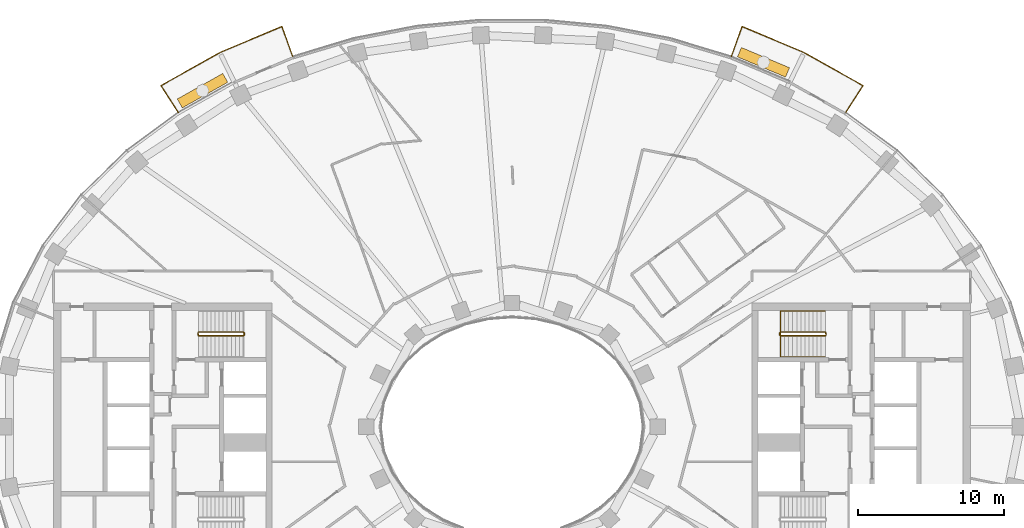
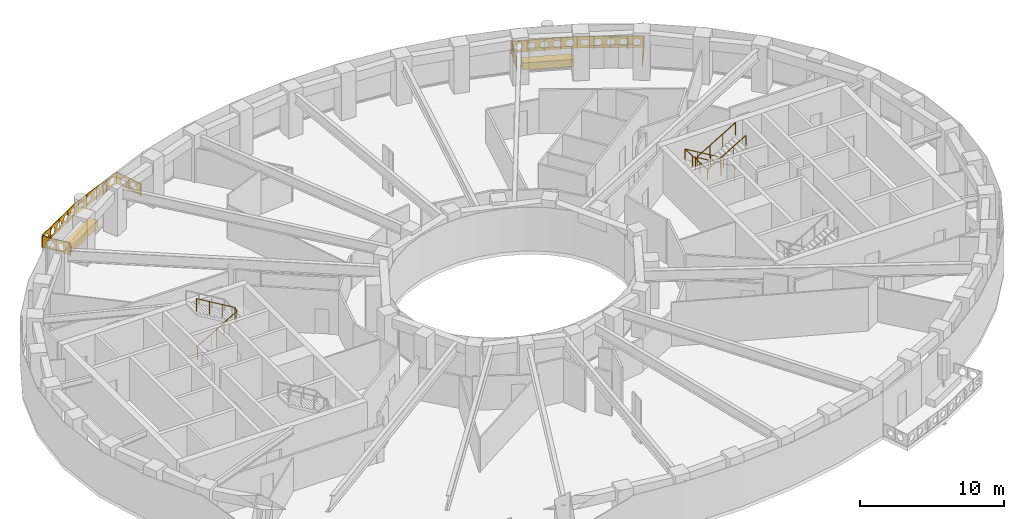
# One storey, part 14 of 15: 5 railings, 2 coverings.
"""IFC4 building model written with IfcOpenShell, lengths in metres."""

from ifc_helpers import new_model, si_unit, direction, frame, origin, origin_2d, place, context, subcontext, project, spatial, polyline, rectangle, outline, extrude, material, type_object, element, save


model = new_model("IFC4")

# Units and contexts
model_context = context("Model", 3, precision=1e-05, world=origin(), true_north=direction((0.0, 1.0)))
body_context = subcontext(model_context, "Body", "Model", "MODEL_VIEW")
ifc_project = project(units=[si_unit("LENGTHUNIT", "METRE"), si_unit("AREAUNIT", "SQUARE_METRE"), si_unit("VOLUMEUNIT", "CUBIC_METRE"), si_unit("PLANEANGLEUNIT", "RADIAN"), si_unit("MASSUNIT", "GRAM", prefix="KILO")], contexts=[model_context])

# Site, building, storey
site_placement = place(None, origin())
site = spatial("IfcSite", under=ifc_project, at=site_placement, CompositionType="ELEMENT")
building_placement = place(site_placement, origin())
building = spatial("IfcBuilding", under=site, at=building_placement, Name="Noorbagh Ring Tower", CompositionType="ELEMENT")
storey_placement = place(building_placement, frame((0.0, 0.0, 194.0)))
storey = spatial("IfcBuildingStorey", under=building, at=storey_placement, Name="L45", CompositionType="ELEMENT", Elevation=194.0)

# Railings
ifc_material_1 = material(Name="Stainless steel", Category="steel")
railing_type_1 = type_object("IfcRailingType", Name="CORE-STAIR-GUARD", PredefinedType="GUARDRAIL", material=ifc_material_1)
railing_1_placement = place(storey_placement, frame((-21.580078125, 6.300048828125, 0.0)))
element("IfcRailing", 1, at=railing_1_placement, inside=storey, type_object=railing_type_1, Name="L45 ST1 stair guard", PredefinedType="GUARDRAIL", context=body_context, shape_type="SweptSolid", body=[
    extrude(rectangle(XDim=0.048095703125, YDim=0.048095703125, at=origin_2d()), frame((0.0, 0.0, 1.076171875), z_axis=(0.0, 1.0, 0.0), x_axis=(-1.0, 0.0, 0.0)), (0.0, 0.0, 1.0), 0.14990234375),
    extrude(rectangle(XDim=0.048095703125, YDim=0.048095703125, at=origin_2d()), frame((0.0, 0.14990234375, 1.076171875), z_axis=(0.188775798145, -0.754182335027, 0.628945707965), x_axis=(0.970072785993, 0.242814311512, 0.0)), (0.0, 0.0, 1.0), 0.26513671875),
    extrude(rectangle(XDim=0.048095703125, YDim=0.048095703125, at=origin_2d()), frame((0.050048828125, -0.050048828125, 1.24267578125), z_axis=(0.859308565015, 0.0, 0.511457515432), x_axis=(0.0, 1.0, 0.0)), (0.0, 0.0, 1.0), 3.58447265625),
    extrude(rectangle(XDim=0.048095703125, YDim=0.048095703125, at=origin_2d()), frame((3.130126953125, -0.050048828125, 3.076171875), z_axis=(0.707106781187, 0.707106781187, 0.0), x_axis=(-0.707106781187, 0.707106781187, 0.0)), (0.0, 0.0, 1.0), 0.07080078125),
    extrude(rectangle(XDim=0.048095703125, YDim=0.048095703125, at=origin_2d()), frame((3.18017578125, 0.0, 3.076171875), z_axis=(0.0, 1.0, 0.0), x_axis=(-1.0, 0.0, 0.0)), (0.0, 0.0, 1.0), 0.14990234375),
    extrude(rectangle(XDim=0.048095703125, YDim=0.048095703125, at=origin_2d()), frame((3.18017578125, 0.14990234375, 3.076171875), z_axis=(-0.27628659633, 0.27628659633, 0.920506074601), x_axis=(-0.707106781187, -0.707106781187, 0.0)), (0.0, 0.0, 1.0), 0.18115234375),
    extrude(rectangle(XDim=0.048095703125, YDim=0.048095703125, at=origin_2d()), frame((3.130126953125, 0.199951171875, 3.24267578125), z_axis=(-0.859308565015, 0.0, 0.511457515432), x_axis=(0.0, -1.0, 0.0)), (0.0, 0.0, 1.0), 3.58447265625),
    extrude(rectangle(XDim=0.0419921875, YDim=0.0419921875, at=origin_2d()), origin(), (0.0, 0.0, 1.0), 1.052001953125),
    extrude(rectangle(XDim=0.0419921875, YDim=0.0419921875, at=origin_2d()), frame((1.07666015625, -0.050048828125, 0.77783203125)), (0.0, 0.0, 1.0), 1.052001953125),
    extrude(rectangle(XDim=0.0419921875, YDim=0.0419921875, at=origin_2d()), frame((2.103515625, -0.050048828125, 1.388916015625)), (0.0, 0.0, 1.0), 1.052001953125),
    extrude(rectangle(XDim=0.0419921875, YDim=0.0419921875, at=origin_2d()), frame((3.130126953125, -0.050048828125, 2.0)), (0.0, 0.0, 1.0), 1.052001953125),
    extrude(rectangle(XDim=0.0419921875, YDim=0.0419921875, at=origin_2d()), frame((3.130126953125, 0.199951171875, 2.166748046875)), (0.0, 0.0, 1.0), 1.052001953125),
    extrude(rectangle(XDim=0.0419921875, YDim=0.0419921875, at=origin_2d()), frame((2.103515625, 0.199951171875, 2.77783203125)), (0.0, 0.0, 1.0), 1.052001953125),
    extrude(rectangle(XDim=0.0419921875, YDim=0.0419921875, at=origin_2d()), frame((1.07666015625, 0.199951171875, 3.388916015625)), (0.0, 0.0, 1.0), 1.052001953125),
    extrude(rectangle(XDim=0.0419921875, YDim=0.0419921875, at=origin_2d()), frame((0.050048828125, 0.199951171875, 4.0)), (0.0, 0.0, 1.0), 1.052001953125),
])
railing_2_placement = place(storey_placement, frame((21.580078125, 6.449951171875, 0.0)))
element("IfcRailing", 2, at=railing_2_placement, inside=storey, type_object=railing_type_1, Name="L45 ST3 stair guard", PredefinedType="GUARDRAIL", context=body_context, shape_type="SweptSolid", body=[
    extrude(rectangle(XDim=0.048095703125, YDim=0.048095703125, at=origin_2d()), frame((0.0, 0.0, 1.076171875), z_axis=(0.0, -1.0, 0.0), x_axis=(1.0, 0.0, 0.0)), (0.0, 0.0, 1.0), 0.14990234375),
    extrude(rectangle(XDim=0.048095703125, YDim=0.048095703125, at=origin_2d()), frame((0.0, -0.14990234375, 1.076171875), z_axis=(-0.188775798145, 0.754182335027, 0.628945707965), x_axis=(-0.970072785993, -0.242814311512, 0.0)), (0.0, 0.0, 1.0), 0.26513671875),
    extrude(rectangle(XDim=0.048095703125, YDim=0.048095703125, at=origin_2d()), frame((-0.050048828125, 0.050048828125, 1.24267578125), z_axis=(-0.859308565015, 0.0, 0.511457515432), x_axis=(0.0, -1.0, 0.0)), (0.0, 0.0, 1.0), 3.58447265625),
    extrude(rectangle(XDim=0.048095703125, YDim=0.048095703125, at=origin_2d()), frame((-3.130126953125, 0.050048828125, 3.076171875), z_axis=(-0.707106781187, -0.707106781187, 0.0), x_axis=(0.707106781187, -0.707106781187, 0.0)), (0.0, 0.0, 1.0), 0.07080078125),
    extrude(rectangle(XDim=0.048095703125, YDim=0.048095703125, at=origin_2d()), frame((-3.18017578125, 0.0, 3.076171875), z_axis=(0.0, -1.0, 0.0), x_axis=(1.0, 0.0, 0.0)), (0.0, 0.0, 1.0), 0.14990234375),
    extrude(rectangle(XDim=0.048095703125, YDim=0.048095703125, at=origin_2d()), frame((-3.18017578125, -0.14990234375, 3.076171875), z_axis=(0.27628659633, -0.27628659633, 0.920506074601), x_axis=(0.707106781187, 0.707106781187, 0.0)), (0.0, 0.0, 1.0), 0.18115234375),
    extrude(rectangle(XDim=0.048095703125, YDim=0.048095703125, at=origin_2d()), frame((-3.130126953125, -0.199951171875, 3.24267578125), z_axis=(0.859308565015, 0.0, 0.511457515432), x_axis=(0.0, 1.0, 0.0)), (0.0, 0.0, 1.0), 3.58447265625),
    extrude(rectangle(XDim=0.0419921875, YDim=0.0419921875, at=origin_2d()), origin(), (0.0, 0.0, 1.0), 1.052001953125),
    extrude(rectangle(XDim=0.0419921875, YDim=0.0419921875, at=origin_2d()), frame((-1.07666015625, 0.050048828125, 0.77783203125)), (0.0, 0.0, 1.0), 1.052001953125),
    extrude(rectangle(XDim=0.0419921875, YDim=0.0419921875, at=origin_2d()), frame((-2.103515625, 0.050048828125, 1.388916015625)), (0.0, 0.0, 1.0), 1.052001953125),
    extrude(rectangle(XDim=0.0419921875, YDim=0.0419921875, at=origin_2d()), frame((-3.130126953125, 0.050048828125, 2.0)), (0.0, 0.0, 1.0), 1.052001953125),
    extrude(rectangle(XDim=0.0419921875, YDim=0.0419921875, at=origin_2d()), frame((-3.130126953125, -0.199951171875, 2.166748046875)), (0.0, 0.0, 1.0), 1.052001953125),
    extrude(rectangle(XDim=0.0419921875, YDim=0.0419921875, at=origin_2d()), frame((-2.103515625, -0.199951171875, 2.77783203125)), (0.0, 0.0, 1.0), 1.052001953125),
    extrude(rectangle(XDim=0.0419921875, YDim=0.0419921875, at=origin_2d()), frame((-1.07666015625, -0.199951171875, 3.388916015625)), (0.0, 0.0, 1.0), 1.052001953125),
    extrude(rectangle(XDim=0.0419921875, YDim=0.0419921875, at=origin_2d()), frame((-0.050048828125, -0.199951171875, 4.0)), (0.0, 0.0, 1.0), 1.052001953125),
])
ifc_material_2 = material(Name="Stainless steel", Category="steel")
railing_type_2 = type_object("IfcRailingType", Name="CORE-STAIR-HANDRAIL", PredefinedType="HANDRAIL", material=ifc_material_2)
railing_3_placement = place(storey_placement, frame((21.530029296875, 7.949951171875, 0.166748046875)))
element("IfcRailing", 3, at=railing_3_placement, inside=storey, type_object=railing_type_2, Name="L45 ST3 stair handrail", PredefinedType="HANDRAIL", context=body_context, shape_type="SweptSolid", body=[
    extrude(rectangle(XDim=0.048095703125, YDim=0.048095703125, at=origin_2d()), frame((0.0, 0.0, 0.8759765625), z_axis=(-0.859308565015, 0.0, 0.511457515432), x_axis=(0.0, -1.0, 0.0)), (0.0, 0.0, 1.0), 3.58447265625),
    extrude(rectangle(XDim=0.048095703125, YDim=0.048095703125, at=origin_2d()), frame((-3.080078125, 0.0, 2.708984375), z_axis=(0.0, -0.998601747152, 0.052863509014), x_axis=(1.0, 0.0, 0.0)), (0.0, 0.0, 1.0), 3.154296875),
    extrude(rectangle(XDim=0.048095703125, YDim=0.048095703125, at=origin_2d()), frame((-3.080078125, -3.14990234375, 2.8759765625), z_axis=(0.859308565015, 0.0, 0.511457515432), x_axis=(0.0, 1.0, 0.0)), (0.0, 0.0, 1.0), 3.58447265625),
    extrude(rectangle(XDim=0.0419921875, YDim=0.0419921875, at=origin_2d()), origin(), (0.0, 0.0, 1.0), 0.851806640625),
    extrude(rectangle(XDim=0.0419921875, YDim=0.0419921875, at=origin_2d()), frame((-1.026611328125, 0.0, 0.611083984375)), (0.0, 0.0, 1.0), 0.851806640625),
    extrude(rectangle(XDim=0.0419921875, YDim=0.0419921875, at=origin_2d()), frame((-2.053466796875, 0.0, 1.22216796875)), (0.0, 0.0, 1.0), 0.851806640625),
    extrude(rectangle(XDim=0.0419921875, YDim=0.0419921875, at=origin_2d()), frame((-3.080078125, 0.0, 1.833251953125)), (0.0, 0.0, 1.0), 0.851806640625),
    extrude(rectangle(XDim=0.0419921875, YDim=0.0419921875, at=origin_2d()), frame((-3.080078125, -1.050048828125, 1.888916015625)), (0.0, 0.0, 1.0), 0.851806640625),
    extrude(rectangle(XDim=0.0419921875, YDim=0.0419921875, at=origin_2d()), frame((-3.080078125, -2.099853515625, 1.9443359375)), (0.0, 0.0, 1.0), 0.851806640625),
    extrude(rectangle(XDim=0.0419921875, YDim=0.0419921875, at=origin_2d()), frame((-3.080078125, -3.14990234375, 2.0)), (0.0, 0.0, 1.0), 0.851806640625),
    extrude(rectangle(XDim=0.0419921875, YDim=0.0419921875, at=origin_2d()), frame((-2.053466796875, -3.14990234375, 2.611083984375)), (0.0, 0.0, 1.0), 0.851806640625),
    extrude(rectangle(XDim=0.0419921875, YDim=0.0419921875, at=origin_2d()), frame((-1.026611328125, -3.14990234375, 3.22216796875)), (0.0, 0.0, 1.0), 0.851806640625),
    extrude(rectangle(XDim=0.0419921875, YDim=0.0419921875, at=origin_2d()), frame((0.0, -3.14990234375, 3.833251953125)), (0.0, 0.0, 1.0), 0.851806640625),
])
ifc_material_3 = material(Name="Steel S275 black powder-coated", Category="steel")
railing_type_3 = type_object("IfcRailingType", Name="ENV-GUARD", PredefinedType="GUARDRAIL", material=ifc_material_3)
railing_4_placement = place(storey_placement, frame((22.9326171875, 21.583740234375, 0.0)))
element("IfcRailing", 4, at=railing_4_placement, inside=storey, type_object=railing_type_3, Name="Balcony guard BN02", PredefinedType="GUARDRAIL", context=body_context, shape_type="SweptSolid", body=[
    extrude(rectangle(XDim=0.048095703125, YDim=0.048095703125, at=origin_2d()), frame((0.0, 0.0, 1.076171875), z_axis=(0.542268136821, 0.840205491406, 0.0), x_axis=(-0.840205491406, 0.542268136821, 0.0)), (0.0, 0.0, 1.0), 2.204345703125),
    extrude(rectangle(XDim=0.048095703125, YDim=0.048095703125, at=origin_2d()), frame((1.1953125, 1.85205078125, 1.076171875), z_axis=(-0.872052247658, 0.489412788303, 0.0), x_axis=(-0.489412788303, -0.872052247658, 0.0)), (0.0, 0.0, 1.0), 4.646240234375),
    extrude(rectangle(XDim=0.048095703125, YDim=0.048095703125, at=origin_2d()), frame((-2.8564453125, 4.1259765625, 1.076171875), z_axis=(-0.921809087722, 0.387644174203, 0.0), x_axis=(-0.387644174203, -0.921809087722, 0.0)), (0.0, 0.0, 1.0), 4.627197265625),
    extrude(rectangle(XDim=0.048095703125, YDim=0.048095703125, at=origin_2d()), frame((-7.121826171875, 5.919677734375, 1.076171875), z_axis=(-0.338350546839, -0.941020141896, 0.0), x_axis=(0.941020141896, -0.338350546839, 0.0)), (0.0, 0.0, 1.0), 2.202880859375),
    extrude(rectangle(XDim=0.0419921875, YDim=0.0419921875, at=origin_2d()), origin(), (0.0, 0.0, 1.0), 1.052001953125),
    extrude(rectangle(XDim=0.0419921875, YDim=0.0419921875, at=origin_2d()), frame((0.59765625, 0.926025390625, 0.0)), (0.0, 0.0, 1.0), 1.052001953125),
    extrude(rectangle(XDim=0.0419921875, YDim=0.0419921875, at=origin_2d()), frame((1.1953125, 1.85205078125, 0.0)), (0.0, 0.0, 1.0), 1.052001953125),
    extrude(rectangle(XDim=0.0419921875, YDim=0.0419921875, at=origin_2d()), frame((0.182373046875, 2.42041015625, 0.0)), (0.0, 0.0, 1.0), 1.052001953125),
    extrude(rectangle(XDim=0.0419921875, YDim=0.0419921875, at=origin_2d()), frame((-0.83056640625, 2.989013671875, 0.0)), (0.0, 0.0, 1.0), 1.052001953125),
    extrude(rectangle(XDim=0.0419921875, YDim=0.0419921875, at=origin_2d()), frame((-1.843505859375, 3.5576171875, 0.0)), (0.0, 0.0, 1.0), 1.052001953125),
    extrude(rectangle(XDim=0.0419921875, YDim=0.0419921875, at=origin_2d()), frame((-2.8564453125, 4.1259765625, 0.0)), (0.0, 0.0, 1.0), 1.052001953125),
    extrude(rectangle(XDim=0.0419921875, YDim=0.0419921875, at=origin_2d()), frame((-3.9228515625, 4.574462890625, 0.0)), (0.0, 0.0, 1.0), 1.052001953125),
    extrude(rectangle(XDim=0.0419921875, YDim=0.0419921875, at=origin_2d()), frame((-4.9892578125, 5.02294921875, 0.0)), (0.0, 0.0, 1.0), 1.052001953125),
    extrude(rectangle(XDim=0.0419921875, YDim=0.0419921875, at=origin_2d()), frame((-6.055419921875, 5.47119140625, 0.0)), (0.0, 0.0, 1.0), 1.052001953125),
    extrude(rectangle(XDim=0.0419921875, YDim=0.0419921875, at=origin_2d()), frame((-7.121826171875, 5.919677734375, 0.0)), (0.0, 0.0, 1.0), 1.052001953125),
    extrude(rectangle(XDim=0.0419921875, YDim=0.0419921875, at=origin_2d()), frame((-7.49462890625, 4.88330078125, 0.0)), (0.0, 0.0, 1.0), 1.052001953125),
    extrude(rectangle(XDim=0.0419921875, YDim=0.0419921875, at=origin_2d()), frame((-7.8671875, 3.8466796875, 0.0)), (0.0, 0.0, 1.0), 1.052001953125),
    extrude(outline(polyline([(0.0, 0.10009765625), (2.204345703125, 0.10009765625), (2.204345703125, 1.031982421875), (0.0, 1.031982421875), (0.0, 0.10009765625)]), holes=[polyline([(0.962158203125, 0.56591796875), (0.80712890625, 0.83447265625), (0.4970703125, 0.83447265625), (0.342041015625, 0.56591796875), (0.4970703125, 0.297607421875), (0.80712890625, 0.297607421875), (0.962158203125, 0.56591796875)]), polyline([(1.862060546875, 0.56591796875), (1.70703125, 0.83447265625), (1.397216796875, 0.83447265625), (1.2421875, 0.56591796875), (1.397216796875, 0.297607421875), (1.70703125, 0.297607421875), (1.862060546875, 0.56591796875)])]), frame((-0.00830078125, 0.00537109375, 0.0), z_axis=(0.840205491406, -0.542268136821, 0.0), x_axis=(0.542268136821, 0.840205491406, 0.0)), (0.0, 0.0, 1.0), 0.02001953125),
    extrude(outline(polyline([(0.0, 0.10009765625), (4.646240234375, 0.10009765625), (4.646240234375, 1.031982421875), (0.0, 1.031982421875), (0.0, 0.10009765625)]), holes=[polyline([(0.8330078125, 0.56591796875), (0.67822265625, 0.83447265625), (0.3681640625, 0.83447265625), (0.213134765625, 0.56591796875), (0.3681640625, 0.297607421875), (0.67822265625, 0.297607421875), (0.8330078125, 0.56591796875)]), polyline([(1.733154296875, 0.56591796875), (1.578125, 0.83447265625), (1.26806640625, 0.83447265625), (1.113037109375, 0.56591796875), (1.26806640625, 0.297607421875), (1.578125, 0.297607421875), (1.733154296875, 0.56591796875)]), polyline([(2.633056640625, 0.56591796875), (2.47802734375, 0.83447265625), (2.168212890625, 0.83447265625), (2.01318359375, 0.56591796875), (2.168212890625, 0.297607421875), (2.47802734375, 0.297607421875), (2.633056640625, 0.56591796875)]), polyline([(3.533203125, 0.56591796875), (3.378173828125, 0.83447265625), (3.068115234375, 0.83447265625), (2.9130859375, 0.56591796875), (3.068115234375, 0.297607421875), (3.378173828125, 0.297607421875), (3.533203125, 0.56591796875)]), polyline([(4.43310546875, 0.56591796875), (4.278076171875, 0.83447265625), (3.968017578125, 0.83447265625), (3.813232421875, 0.56591796875), (3.968017578125, 0.297607421875), (4.278076171875, 0.297607421875), (4.43310546875, 0.56591796875)])]), frame((1.1904296875, 1.84326171875, 0.0), z_axis=(0.489412788303, 0.872052247658, 0.0), x_axis=(-0.872052247658, 0.489412788303, 0.0)), (0.0, 0.0, 1.0), 0.02001953125),
    extrude(outline(polyline([(0.0, 0.10009765625), (4.627197265625, 0.10009765625), (4.627197265625, 1.031982421875), (0.0, 1.031982421875), (0.0, 0.10009765625)]), holes=[polyline([(0.823486328125, 0.56591796875), (0.668701171875, 0.83447265625), (0.358642578125, 0.83447265625), (0.20361328125, 0.56591796875), (0.358642578125, 0.297607421875), (0.668701171875, 0.297607421875), (0.823486328125, 0.56591796875)]), polyline([(1.7236328125, 0.56591796875), (1.568603515625, 0.83447265625), (1.258544921875, 0.83447265625), (1.103515625, 0.56591796875), (1.258544921875, 0.297607421875), (1.568603515625, 0.297607421875), (1.7236328125, 0.56591796875)]), polyline([(2.62353515625, 0.56591796875), (2.468505859375, 0.83447265625), (2.15869140625, 0.83447265625), (2.003662109375, 0.56591796875), (2.15869140625, 0.297607421875), (2.468505859375, 0.297607421875), (2.62353515625, 0.56591796875)]), polyline([(3.523681640625, 0.56591796875), (3.36865234375, 0.83447265625), (3.05859375, 0.83447265625), (2.903564453125, 0.56591796875), (3.05859375, 0.297607421875), (3.36865234375, 0.297607421875), (3.523681640625, 0.56591796875)]), polyline([(4.423583984375, 0.56591796875), (4.2685546875, 0.83447265625), (3.95849609375, 0.83447265625), (3.8037109375, 0.56591796875), (3.95849609375, 0.297607421875), (4.2685546875, 0.297607421875), (4.423583984375, 0.56591796875)])]), frame((-2.8603515625, 4.11669921875, 0.0), z_axis=(0.387644174203, 0.921809087722, 0.0), x_axis=(-0.921809087722, 0.387644174203, 0.0)), (0.0, 0.0, 1.0), 0.02001953125),
    extrude(outline(polyline([(0.0, 0.10009765625), (2.202880859375, 0.10009765625), (2.202880859375, 1.031982421875), (0.0, 1.031982421875), (0.0, 0.10009765625)]), holes=[polyline([(0.96142578125, 0.56591796875), (0.806396484375, 0.83447265625), (0.49658203125, 0.83447265625), (0.341552734375, 0.56591796875), (0.49658203125, 0.297607421875), (0.806396484375, 0.297607421875), (0.96142578125, 0.56591796875)]), polyline([(1.861572265625, 0.56591796875), (1.70654296875, 0.83447265625), (1.396484375, 0.83447265625), (1.241455078125, 0.56591796875), (1.396484375, 0.297607421875), (1.70654296875, 0.297607421875), (1.861572265625, 0.56591796875)])]), frame((-7.1123046875, 5.916259765625, 0.0), z_axis=(-0.941020141896, 0.338350546839, 0.0), x_axis=(-0.338350546839, -0.941020141896, 0.0)), (0.0, 0.0, 1.0), 0.02001953125),
])
railing_5_placement = place(storey_placement, frame((-15.0654296875, 25.430419921875, 0.0)))
element("IfcRailing", 5, at=railing_5_placement, inside=storey, type_object=railing_type_3, Name="Balcony guard BN05", PredefinedType="GUARDRAIL", context=body_context, shape_type="SweptSolid", body=[
    extrude(rectangle(XDim=0.048095703125, YDim=0.048095703125, at=origin_2d()), frame((0.0, 0.0, 1.076171875), z_axis=(-0.338350546839, 0.941020141896, 0.0), x_axis=(-0.941020141896, -0.338350546839, 0.0)), (0.0, 0.0, 1.0), 2.202880859375),
    extrude(rectangle(XDim=0.048095703125, YDim=0.048095703125, at=origin_2d()), frame((-0.745361328125, 2.072998046875, 1.076171875), z_axis=(-0.921809087722, -0.387644174203, 0.0), x_axis=(0.387644174203, -0.921809087722, 0.0)), (0.0, 0.0, 1.0), 4.627197265625),
    extrude(rectangle(XDim=0.048095703125, YDim=0.048095703125, at=origin_2d()), frame((-5.0107421875, 0.279296875, 1.076171875), z_axis=(-0.872052247658, -0.489412788303, 0.0), x_axis=(0.489412788303, -0.872052247658, 0.0)), (0.0, 0.0, 1.0), 4.646240234375),
    extrude(rectangle(XDim=0.048095703125, YDim=0.048095703125, at=origin_2d()), frame((-9.0625, -1.99462890625, 1.076171875), z_axis=(0.542268136821, -0.840205491406, 0.0), x_axis=(0.840205491406, 0.542268136821, 0.0)), (0.0, 0.0, 1.0), 2.204345703125),
    extrude(rectangle(XDim=0.0419921875, YDim=0.0419921875, at=origin_2d()), origin(), (0.0, 0.0, 1.0), 1.052001953125),
    extrude(rectangle(XDim=0.0419921875, YDim=0.0419921875, at=origin_2d()), frame((-0.37255859375, 1.03662109375, 0.0)), (0.0, 0.0, 1.0), 1.052001953125),
    extrude(rectangle(XDim=0.0419921875, YDim=0.0419921875, at=origin_2d()), frame((-0.745361328125, 2.072998046875, 0.0)), (0.0, 0.0, 1.0), 1.052001953125),
    extrude(rectangle(XDim=0.0419921875, YDim=0.0419921875, at=origin_2d()), frame((-1.811767578125, 1.62451171875, 0.0)), (0.0, 0.0, 1.0), 1.052001953125),
    extrude(rectangle(XDim=0.0419921875, YDim=0.0419921875, at=origin_2d()), frame((-2.8779296875, 1.17626953125, 0.0)), (0.0, 0.0, 1.0), 1.052001953125),
    extrude(rectangle(XDim=0.0419921875, YDim=0.0419921875, at=origin_2d()), frame((-3.9443359375, 0.727783203125, 0.0)), (0.0, 0.0, 1.0), 1.052001953125),
    extrude(rectangle(XDim=0.0419921875, YDim=0.0419921875, at=origin_2d()), frame((-5.0107421875, 0.279296875, 0.0)), (0.0, 0.0, 1.0), 1.052001953125),
    extrude(rectangle(XDim=0.0419921875, YDim=0.0419921875, at=origin_2d()), frame((-6.023681640625, -0.2890625, 0.0)), (0.0, 0.0, 1.0), 1.052001953125),
    extrude(rectangle(XDim=0.0419921875, YDim=0.0419921875, at=origin_2d()), frame((-7.03662109375, -0.857666015625, 0.0)), (0.0, 0.0, 1.0), 1.052001953125),
    extrude(rectangle(XDim=0.0419921875, YDim=0.0419921875, at=origin_2d()), frame((-8.049560546875, -1.42626953125, 0.0)), (0.0, 0.0, 1.0), 1.052001953125),
    extrude(rectangle(XDim=0.0419921875, YDim=0.0419921875, at=origin_2d()), frame((-9.0625, -1.99462890625, 0.0)), (0.0, 0.0, 1.0), 1.052001953125),
    extrude(rectangle(XDim=0.0419921875, YDim=0.0419921875, at=origin_2d()), frame((-8.46484375, -2.920654296875, 0.0)), (0.0, 0.0, 1.0), 1.052001953125),
    extrude(rectangle(XDim=0.0419921875, YDim=0.0419921875, at=origin_2d()), frame((-7.8671875, -3.8466796875, 0.0)), (0.0, 0.0, 1.0), 1.052001953125),
    extrude(outline(polyline([(0.0, 0.10009765625), (2.202880859375, 0.10009765625), (2.202880859375, 1.031982421875), (0.0, 1.031982421875), (0.0, 0.10009765625)]), holes=[polyline([(0.96142578125, 0.56591796875), (0.806396484375, 0.83447265625), (0.49658203125, 0.83447265625), (0.341552734375, 0.56591796875), (0.49658203125, 0.297607421875), (0.806396484375, 0.297607421875), (0.96142578125, 0.56591796875)]), polyline([(1.861572265625, 0.56591796875), (1.70654296875, 0.83447265625), (1.396484375, 0.83447265625), (1.241455078125, 0.56591796875), (1.396484375, 0.297607421875), (1.70654296875, 0.297607421875), (1.861572265625, 0.56591796875)])]), frame((-0.009521484375, -0.00341796875, 0.0), z_axis=(0.941020141896, 0.338350546839, 0.0), x_axis=(-0.338350546839, 0.941020141896, 0.0)), (0.0, 0.0, 1.0), 0.02001953125),
    extrude(outline(polyline([(0.0, 0.10009765625), (4.627197265625, 0.10009765625), (4.627197265625, 1.031982421875), (0.0, 1.031982421875), (0.0, 0.10009765625)]), holes=[polyline([(0.823486328125, 0.56591796875), (0.668701171875, 0.83447265625), (0.358642578125, 0.83447265625), (0.20361328125, 0.56591796875), (0.358642578125, 0.297607421875), (0.668701171875, 0.297607421875), (0.823486328125, 0.56591796875)]), polyline([(1.7236328125, 0.56591796875), (1.568603515625, 0.83447265625), (1.258544921875, 0.83447265625), (1.103515625, 0.56591796875), (1.258544921875, 0.297607421875), (1.568603515625, 0.297607421875), (1.7236328125, 0.56591796875)]), polyline([(2.62353515625, 0.56591796875), (2.468505859375, 0.83447265625), (2.15869140625, 0.83447265625), (2.003662109375, 0.56591796875), (2.15869140625, 0.297607421875), (2.468505859375, 0.297607421875), (2.62353515625, 0.56591796875)]), polyline([(3.523681640625, 0.56591796875), (3.36865234375, 0.83447265625), (3.05859375, 0.83447265625), (2.903564453125, 0.56591796875), (3.05859375, 0.297607421875), (3.36865234375, 0.297607421875), (3.523681640625, 0.56591796875)]), polyline([(4.423583984375, 0.56591796875), (4.2685546875, 0.83447265625), (3.95849609375, 0.83447265625), (3.8037109375, 0.56591796875), (3.95849609375, 0.297607421875), (4.2685546875, 0.297607421875), (4.423583984375, 0.56591796875)])]), frame((-0.741455078125, 2.063720703125, 0.0), z_axis=(-0.387644174203, 0.921809087722, 0.0), x_axis=(-0.921809087722, -0.387644174203, 0.0)), (0.0, 0.0, 1.0), 0.02001953125),
    extrude(outline(polyline([(0.0, 0.10009765625), (4.646240234375, 0.10009765625), (4.646240234375, 1.031982421875), (0.0, 1.031982421875), (0.0, 0.10009765625)]), holes=[polyline([(0.8330078125, 0.56591796875), (0.67822265625, 0.83447265625), (0.3681640625, 0.83447265625), (0.213134765625, 0.56591796875), (0.3681640625, 0.297607421875), (0.67822265625, 0.297607421875), (0.8330078125, 0.56591796875)]), polyline([(1.733154296875, 0.56591796875), (1.578125, 0.83447265625), (1.26806640625, 0.83447265625), (1.113037109375, 0.56591796875), (1.26806640625, 0.297607421875), (1.578125, 0.297607421875), (1.733154296875, 0.56591796875)]), polyline([(2.633056640625, 0.56591796875), (2.47802734375, 0.83447265625), (2.168212890625, 0.83447265625), (2.01318359375, 0.56591796875), (2.168212890625, 0.297607421875), (2.47802734375, 0.297607421875), (2.633056640625, 0.56591796875)]), polyline([(3.533203125, 0.56591796875), (3.378173828125, 0.83447265625), (3.068115234375, 0.83447265625), (2.9130859375, 0.56591796875), (3.068115234375, 0.297607421875), (3.378173828125, 0.297607421875), (3.533203125, 0.56591796875)]), polyline([(4.43310546875, 0.56591796875), (4.278076171875, 0.83447265625), (3.968017578125, 0.83447265625), (3.813232421875, 0.56591796875), (3.968017578125, 0.297607421875), (4.278076171875, 0.297607421875), (4.43310546875, 0.56591796875)])]), frame((-5.005859375, 0.2705078125, 0.0), z_axis=(-0.489412788303, 0.872052247658, 0.0), x_axis=(-0.872052247658, -0.489412788303, 0.0)), (0.0, 0.0, 1.0), 0.02001953125),
    extrude(outline(polyline([(0.0, 0.10009765625), (2.204345703125, 0.10009765625), (2.204345703125, 1.031982421875), (0.0, 1.031982421875), (0.0, 0.10009765625)]), holes=[polyline([(0.962158203125, 0.56591796875), (0.80712890625, 0.83447265625), (0.4970703125, 0.83447265625), (0.342041015625, 0.56591796875), (0.4970703125, 0.297607421875), (0.80712890625, 0.297607421875), (0.962158203125, 0.56591796875)]), polyline([(1.862060546875, 0.56591796875), (1.70703125, 0.83447265625), (1.397216796875, 0.83447265625), (1.2421875, 0.56591796875), (1.397216796875, 0.297607421875), (1.70703125, 0.297607421875), (1.862060546875, 0.56591796875)])]), frame((-9.05419921875, -1.9892578125, 0.0), z_axis=(-0.840205491406, -0.542268136821, 0.0), x_axis=(0.542268136821, -0.840205491406, 0.0)), (0.0, 0.0, 1.0), 0.02001953125),
])

# Coverings
ifc_material_4 = material(Name="Concrete C30/37 planter with soil", Category="concrete")
covering_type = type_object("IfcCoveringType", Name="ENV-PLANTER", PredefinedType="CLADDING", material=ifc_material_4)
covering_1_placement = place(storey_placement, frame((17.280517578125, 25.041259765625, 0.0), z_axis=(0.0, 0.0, 1.0), x_axis=(-0.921811566494, 0.387638279686, 0.0)))
element("IfcCovering", 6, at=covering_1_placement, inside=storey, type_object=covering_type, Name="PLANTER BN02", ObjectType="PLANTER", PredefinedType="CLADDING", context=body_context, shape_type="SweptSolid", body=[
    extrude(rectangle(XDim=3.5859375, YDim=0.699951171875, at=origin_2d()), origin(), (0.0, 0.0, 1.0), 0.60009765625),
])
covering_2_placement = place(storey_placement, frame((-21.26513671875, 23.093017578125, 0.0), z_axis=(0.0, 0.0, 1.0), x_axis=(-0.872044586249, -0.48942643941, 0.0)))
element("IfcCovering", 7, at=covering_2_placement, inside=storey, type_object=covering_type, Name="PLANTER BN05", ObjectType="PLANTER", PredefinedType="CLADDING", context=body_context, shape_type="SweptSolid", body=[
    extrude(rectangle(XDim=3.58544921875, YDim=0.699951171875, at=origin_2d()), origin(), (0.0, 0.0, 1.0), 0.60009765625),
])

save(model, "model.ifc")
